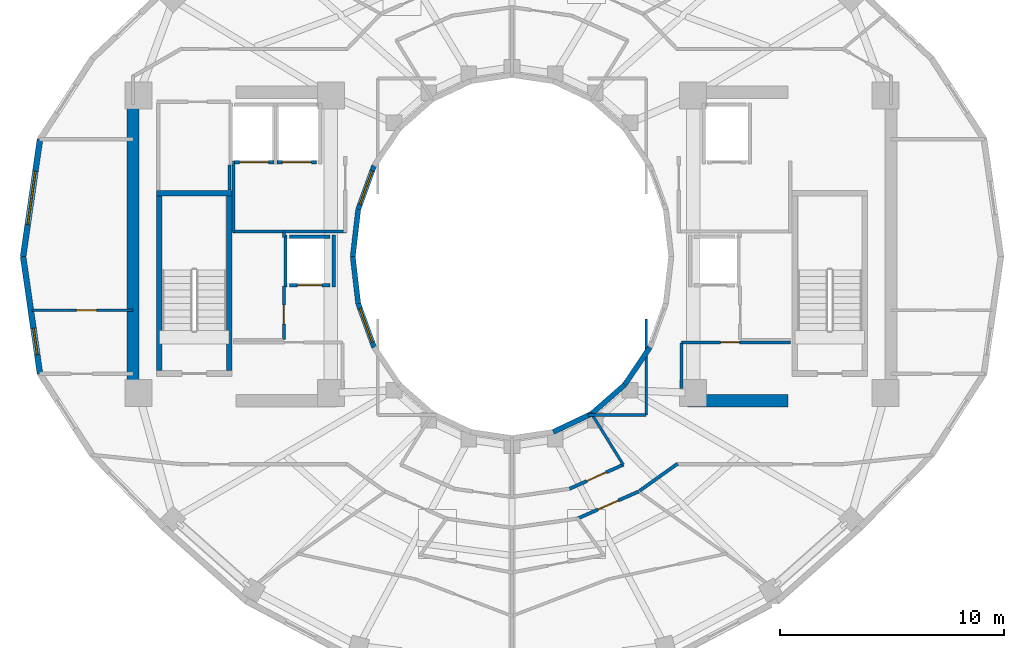
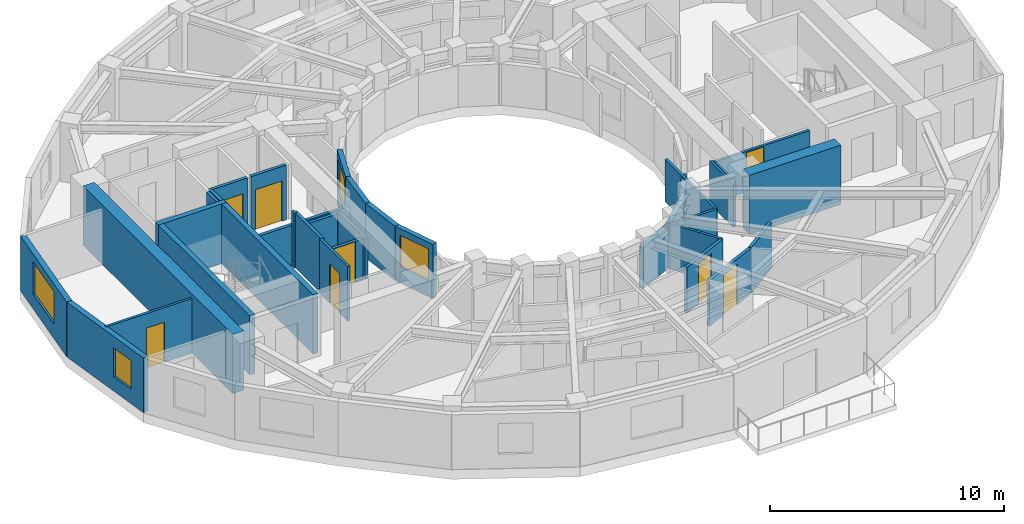
# One storey, part 4 of 9: 34 walls, 8 doors, 4 windows, 12 openings.
"""IFC4 building model written with IfcOpenShell, lengths in metres."""

import ifcopenshell
import ifcopenshell.guid

model = None  # the IFC model being written
_history = None  # IfcOwnerHistory: only IFC2X3 demands one
_inside = {}  # id of a spatial element -> (the spatial element, [elements in it])
_under = {}  # id of a project, library or spatial element -> (it, [spatial elements below it])
_declared = {}  # id of a project -> (the project, [libraries it declares])
_typed = {}  # id of a type object -> (the type object, [elements of that type])
_made_of = {}  # id of a material, layer set ... -> (it, [elements and type objects made of it])


def new_model(schema):
    """Start an empty IFC model of exactly this schema.

    Asked for "IFC4X3", IfcOpenShell would pick the latest addendum, in which some entities
    have other attributes; the version numbers below select the first issue.
    IFC2X3 requires an IfcOwnerHistory on every rooted entity: one is made here for all.
    """
    global model, _history
    if schema == "IFC4X3":
        model = ifcopenshell.file(schema_version=(4, 3, 0, 0))
    else:
        model = ifcopenshell.file(schema=schema)
    _inside.clear()
    _under.clear()
    _declared.clear()
    _typed.clear()
    _made_of.clear()
    _history = None
    if model.schema == "IFC2X3":
        org = make("IfcOrganization", Name="unknown")
        user = make(
            "IfcPersonAndOrganization",
            ThePerson=make("IfcPerson", FamilyName="unknown"),
            TheOrganization=org,
        )
        app = make(
            "IfcApplication",
            ApplicationDeveloper=org,
            Version="unknown",
            ApplicationFullName="unknown",
            ApplicationIdentifier="unknown",
        )
        _history = make(
            "IfcOwnerHistory",
            OwningUser=user,
            OwningApplication=app,
            ChangeAction="ADDED",
            CreationDate=0,
        )
    return model


def make(cls, **values):
    """One entity of the class cls with the attributes given. An attribute that is None is left unset."""
    return model.create_entity(
        cls, **{name: value for name, value in values.items() if value is not None}
    )


def rooted(cls, **values):
    """An entity with a GlobalId (a new one), such as an element, a storey or a relation."""
    return make(cls, GlobalId=ifcopenshell.guid.new(), OwnerHistory=_history, **values)


def si_unit(unit_type, name, prefix=None):
    """IfcSIUnit, for example si_unit("LENGTHUNIT", "METRE", prefix="MILLI")."""
    return make("IfcSIUnit", UnitType=unit_type, Prefix=prefix, Name=name)


def assignment(units):
    """IfcUnitAssignment: the units of a project."""
    return None if units is None else make("IfcUnitAssignment", Units=units)


def point(xyz):
    """IfcCartesianPoint."""
    return None if xyz is None else make("IfcCartesianPoint", Coordinates=xyz)


def direction(xyz):
    """IfcDirection."""
    return None if xyz is None else make("IfcDirection", DirectionRatios=xyz)


def frame(location, z_axis=None, x_axis=None):
    """IfcAxis2Placement3D, a coordinate frame: its origin and axes. An axis left out is left unset."""
    return make(
        "IfcAxis2Placement3D",
        Location=point(location),
        Axis=direction(z_axis),
        RefDirection=direction(x_axis),
    )


def frame_2d(location, x_axis=None):
    """IfcAxis2Placement2D, a coordinate frame in the plane: its origin and x axis."""
    return make(
        "IfcAxis2Placement2D", Location=point(location), RefDirection=direction(x_axis)
    )


def origin():
    """The frame at (0, 0, 0) with its axes left unset."""
    return frame((0.0, 0.0, 0.0))


def place(relative_to, where):
    """IfcLocalPlacement: puts the frame where relative to a parent placement (None: the world)."""
    return make(
        "IfcLocalPlacement", PlacementRelTo=relative_to, RelativePlacement=where
    )


def context(
    kind, dimensions, precision=None, world=None, true_north=None, identifier=None
):
    """IfcGeometricRepresentationContext, for example the 3D "Model" context."""
    return make(
        "IfcGeometricRepresentationContext",
        ContextIdentifier=identifier,
        ContextType=kind,
        CoordinateSpaceDimension=dimensions,
        Precision=precision,
        WorldCoordinateSystem=world,
        TrueNorth=true_north,
    )


def subcontext(parent, identifier, kind, view, scale=None):
    """IfcGeometricRepresentationSubContext, for example "Body" below "Model"."""
    return make(
        "IfcGeometricRepresentationSubContext",
        ContextIdentifier=identifier,
        ContextType=kind,
        ParentContext=parent,
        TargetScale=scale,
        TargetView=view,
    )


def project(units=None, contexts=None):
    """IfcProject with its units and contexts."""
    return rooted(
        "IfcProject",
        Name="project",
        RepresentationContexts=contexts,
        UnitsInContext=assignment(units),
    )


def spatial(cls, under=None, at=None, **own):
    """A site, building, storey or space (cls), placed at a placement, below another one or the project."""
    s = rooted(cls, ObjectPlacement=at, **own)
    if under is not None:
        _under.setdefault(under.id(), (under, []))[1].append(s)
    return s


def profile(cls, at=None, kind="AREA", **sizes):
    """A parametric profile (cls). Its sizes go by their IFC names, for example OverallWidth=200.0."""
    return make(cls, ProfileType=kind, Position=at, **sizes)


def rectangle(**sizes):
    """IfcRectangleProfileDef."""
    return profile("IfcRectangleProfileDef", **sizes)


def extrude(swept, where, along, depth):
    """IfcExtrudedAreaSolid: the profile swept, set in the frame where, extruded along a direction by depth."""
    return make(
        "IfcExtrudedAreaSolid",
        SweptArea=swept,
        Position=where,
        ExtrudedDirection=direction(along),
        Depth=depth,
    )


def shape(context_of_items, identifier, shape_type, items):
    """IfcShapeRepresentation: the items that make up one representation, for example the "Body"."""
    return make(
        "IfcShapeRepresentation",
        ContextOfItems=context_of_items,
        RepresentationIdentifier=identifier,
        RepresentationType=shape_type,
        Items=items,
    )


def material(Name=None, Category=None):
    """IfcMaterial."""
    return make("IfcMaterial", Name=Name, Category=Category)


def layer(
    of_material, thickness, ventilated=None, Name=None, Category=None, Priority=None
):
    """IfcMaterialLayer: one layer of a wall or slab, of a material (None: an air gap)."""
    return make(
        "IfcMaterialLayer",
        Material=of_material,
        LayerThickness=thickness,
        IsVentilated=ventilated,
        Name=Name,
        Category=Category,
        Priority=Priority,
    )


def layer_set(layers, Name=None):
    """IfcMaterialLayerSet."""
    return make("IfcMaterialLayerSet", MaterialLayers=layers, LayerSetName=Name)


def made_of(thing, what):
    """Note that an element or type object is made of a material, layer set ...; save() writes the relation."""
    if what is not None:
        _made_of.setdefault(what.id(), (what, []))[1].append(thing)
    return thing


def type_object(cls, material=None, **own):
    """A type object (cls), such as IfcWallType, which elements share."""
    return made_of(rooted(cls, **own), material)


def element(
    cls,
    number,
    at=None,
    inside=None,
    cuts=None,
    type_object=None,
    material=None,
    context=None,
    identifier="Body",
    shape_type=None,
    held_by="IfcProductDefinitionShape",
    body=None,
    shapes=None,
    **own,
):
    """One element of the class cls, such as IfcWall. Its Tag is "e" and its number.

    at: its placement. inside: the storey or other place that contains it. cuts: it is an
    opening in that element (IfcRelVoidsElement). A single representation is given by context,
    identifier, shape_type and body (its items); several are given by shapes. held_by: the class
    of the entity that holds the representations. save() writes the other relations.
    """
    e = rooted(cls, Tag="e%d" % number, ObjectPlacement=at, **own)
    if body is not None:
        shapes = [shape(context, identifier, shape_type, body)]
    if shapes is not None:
        e.Representation = make(held_by, Representations=shapes)
    if inside is not None:
        _inside.setdefault(inside.id(), (inside, []))[1].append(e)
    if cuts is not None:
        rooted(
            "IfcRelVoidsElement", RelatingBuildingElement=cuts, RelatedOpeningElement=e
        )
    if type_object is not None:
        _typed.setdefault(type_object.id(), (type_object, []))[1].append(e)
    return made_of(e, material)


def fill(opening, filler):
    """IfcRelFillsElement: the door or window that sits in an opening."""
    return rooted(
        "IfcRelFillsElement",
        RelatingOpeningElement=opening,
        RelatedBuildingElement=filler,
    )


def aggregate(whole, parts):
    """IfcRelAggregates: a whole, such as a stair, and the parts it consists of."""
    return rooted("IfcRelAggregates", RelatingObject=whole, RelatedObjects=parts)


def save(model, path):
    """Write the relations noted so far, then the file.

    IfcRelAggregates (storeys below a building ...), IfcRelContainedInSpatialStructure (elements
    in a storey), IfcRelDefinesByType, IfcRelAssociatesMaterial and IfcRelDeclares: one each for
    every whole, place, type object, material and project.
    """
    for whole, parts in _under.values():
        aggregate(whole, parts)
    for where, things in _inside.values():
        rooted(
            "IfcRelContainedInSpatialStructure",
            RelatedElements=things,
            RelatingStructure=where,
        )
    for kind, things in _typed.values():
        rooted("IfcRelDefinesByType", RelatedObjects=things, RelatingType=kind)
    for what, things in _made_of.values():
        rooted("IfcRelAssociatesMaterial", RelatedObjects=things, RelatingMaterial=what)
    for by, libraries in _declared.values():
        rooted("IfcRelDeclares", RelatingContext=by, RelatedDefinitions=libraries)
    model.write(path)


model = new_model("IFC4")

# Units and contexts
model_context = context("Model", 3, precision=1e-05, world=origin(), true_north=direction((0.0, 1.0)))
body_context = subcontext(model_context, "Body", "Model", "MODEL_VIEW")
ifc_project = project(units=[si_unit("LENGTHUNIT", "METRE"), si_unit("AREAUNIT", "SQUARE_METRE"), si_unit("VOLUMEUNIT", "CUBIC_METRE"), si_unit("PLANEANGLEUNIT", "RADIAN"), si_unit("MASSUNIT", "GRAM", prefix="KILO")], contexts=[model_context])

# Site, building, storey
site_placement = place(None, origin())
site = spatial("IfcSite", under=ifc_project, at=site_placement, CompositionType="ELEMENT")
building_placement = place(site_placement, origin())
building = spatial("IfcBuilding", under=site, at=building_placement, Name="Solvane Sanctuary Tower", CompositionType="ELEMENT")
storey_placement = place(building_placement, frame((0.0, 0.0, 220.199951171875)))
storey = spatial("IfcBuildingStorey", under=building, at=storey_placement, Name="L67", CompositionType="ELEMENT", Elevation=220.199951171875)

# Walls
ifc_material_1 = material(Name="Concrete C50/60", Category="concrete")
ifc_layer_1 = layer(ifc_material_1, 0.550048828125, Name="Concrete C50/60")
ifc_layer_set_1 = layer_set([ifc_layer_1], Name="Concrete C50/60")
wall_type_1 = type_object("IfcWallType", Name="Wall W-CORE-550", PredefinedType="SHEAR", material=ifc_layer_set_1)
wall_1_placement = place(storey_placement, frame((15.050048828125, 17.050048828125, 0.0), z_axis=(0.0, 0.0, 1.0), x_axis=(0.0, 1.0, 0.0)))
element("IfcWall", 1, at=wall_1_placement, inside=storey, type_object=wall_type_1, Name="L67 Core Shear Wall WC-W", PredefinedType="SHEAR", context=body_context, shape_type="SweptSolid", body=[
    extrude(rectangle(XDim=12.800048828125, YDim=0.550048828125, at=frame_2d((6.39990234375, 0.0))), origin(), (0.0, 0.0, 1.0), 3.10009765625),
])
wall_2_placement = place(storey_placement, frame((39.85009765625, 16.550048828125, 0.0), z_axis=(0.0, 0.0, 1.0), x_axis=(1.0, 0.0, 0.0)))
element("IfcWall", 2, at=wall_2_placement, inside=storey, type_object=wall_type_1, Name="L67 Core Shear Wall EC-S", PredefinedType="SHEAR", context=body_context, shape_type="SweptSolid", body=[
    extrude(rectangle(XDim=4.5, YDim=0.550048828125, at=frame_2d((2.25, 0.0))), origin(), (0.0, 0.0, 1.0), 3.10009765625),
])
ifc_material_2 = material(Name="Acoustic Gypsum Partition Board")
ifc_layer_2 = layer(ifc_material_2, 0.14990234375, Name="Acoustic Gypsum Partition Board")
ifc_layer_set_2 = layer_set([ifc_layer_2], Name="Acoustic Gypsum Partition Board")
wall_type_2 = type_object("IfcWallType", Name="Wall W-CORR-150", PredefinedType="PARTITIONING", material=ifc_layer_set_2)
wall_3_placement = place(storey_placement, frame((19.52001953125, 24.1201171875, 0.0), z_axis=(0.0, 0.0, 1.0), x_axis=(1.0, 0.0, 0.0)))
element("IfcWall", 3, at=wall_3_placement, inside=storey, type_object=wall_type_2, Name="L67 West Firefighting Lobby South Wall", PredefinedType="PARTITIONING", context=body_context, shape_type="SweptSolid", body=[
    extrude(rectangle(XDim=5.080078125, YDim=0.14990234375, at=frame_2d((2.5400390625, 0.0))), origin(), (0.0, 0.0, 1.0), 2.1201171875),
])
wall_4_placement = place(storey_placement, frame((19.550048828125, 24.080078125, 0.0), z_axis=(0.0, 0.0, 1.0), x_axis=(0.0, 1.0, 0.0)))
element("IfcWall", 4, at=wall_4_placement, inside=storey, type_object=wall_type_2, Name="L67 West Firefighting Lobby West Wall", PredefinedType="PARTITIONING", context=body_context, shape_type="SweptSolid", body=[
    extrude(rectangle(XDim=3.199951171875, YDim=0.14990234375, at=frame_2d((1.60009765625, 0.0))), origin(), (0.0, 0.0, 1.0), 2.85498046875),
])

# Wall, opening, door
wall_5_placement = place(storey_placement, frame((34.573486328125, 12.61572265625, 0.0), z_axis=(0.0, 0.0, 1.0), x_axis=(0.912628408652, 0.408790151203, 0.0)))
wall_5 = element("IfcWall", 5, at=wall_5_placement, inside=storey, type_object=wall_type_2, Name="L67 South Light-Well Corridor Wall 2", PredefinedType="PARTITIONING", context=body_context, shape_type="SweptSolid", body=[
    extrude(rectangle(XDim=2.637939453125, YDim=0.14990234375, at=frame_2d((1.31884765625, 0.0))), origin(), (0.0, 0.0, 1.0), 2.3759765625),
])
opening_1_placement = place(wall_5_placement, frame((0.843994140625, 0.0, 0.0)))
opening_1 = element("IfcOpeningElement", 6, at=opening_1_placement, cuts=wall_5, Name="Opening D-L67-14", PredefinedType="OPENING", context=body_context, shape_type="SweptSolid", body=[
    extrude(rectangle(XDim=0.949951171875, YDim=2.10009765625, at=frame_2d((0.47509765625, 1.050048828125))), frame((0.0, 0.0849609375, 0.0), z_axis=(0.0, -1.0, 0.0), x_axis=(1.0, 0.0, 0.0)), (0.0, 0.0, 1.0), 0.169921875),
])
ifc_material_3 = material(Name="Engineered Tropical Hardwood", Category="wood")
door_type_1 = type_object("IfcDoorType", Name="Door D-ROOM-950", OperationType="NOTDEFINED", PredefinedType="DOOR", material=ifc_material_3)
door_1_placement = place(opening_1_placement, origin())
door_1 = element("IfcDoor", 7, at=door_1_placement, inside=storey, type_object=door_type_1, Name="L67 South Light-Well Alcove Door 2", OperationType="SINGLE_SWING_LEFT", OverallHeight=2.10009765625, OverallWidth=0.949951171875, PredefinedType="DOOR", context=body_context, shape_type="SweptSolid", body=[
    extrude(rectangle(XDim=0.949951171875, YDim=2.10009765625, at=frame_2d((0.47509765625, 1.050048828125))), frame((0.0, 0.02490234375, 0.0), z_axis=(0.0, -1.0, 0.0), x_axis=(1.0, 0.0, 0.0)), (0.0, 0.0, 1.0), 0.050048828125),
])
fill(opening_1, door_1)

# Wall
wall_6_placement = place(storey_placement, frame((37.709716796875, 12.527099609375, 0.0), z_axis=(0.0, 0.0, 1.0), x_axis=(0.813780999276, 0.581171648669, 0.0)))
element("IfcWall", 8, at=wall_6_placement, inside=storey, type_object=wall_type_2, Name="L67 SE Corner Throat Wall", PredefinedType="PARTITIONING", context=body_context, shape_type="SweptSolid", body=[
    extrude(rectangle(XDim=2.082275390625, YDim=0.14990234375, at=frame_2d((1.041015625, 0.0))), origin(), (0.0, 0.0, 1.0), 2.3759765625),
])

# Wall, opening, door
wall_7_placement = place(storey_placement, frame((34.9248046875, 11.281005859375, 0.0), z_axis=(0.0, 0.0, 1.0), x_axis=(0.914139569865, 0.405399613724, 0.0)))
wall_7 = element("IfcWall", 9, at=wall_7_placement, inside=storey, type_object=wall_type_2, Name="L67 Unit Corridor Wall S2", PredefinedType="PARTITIONING", context=body_context, shape_type="SweptSolid", body=[
    extrude(rectangle(XDim=3.005126953125, YDim=0.14990234375, at=frame_2d((1.50244140625, 0.0))), origin(), (0.0, 0.0, 1.0), 2.3759765625),
])
opening_2_placement = place(wall_7_placement, frame((1.00244140625, 0.0, 0.0)))
opening_2 = element("IfcOpeningElement", 10, at=opening_2_placement, cuts=wall_7, Name="Opening D-L67-34", PredefinedType="OPENING", context=body_context, shape_type="SweptSolid", body=[
    extrude(rectangle(XDim=1.0, YDim=2.10009765625, at=frame_2d((0.5, 1.050048828125))), frame((0.0, 0.0849609375, 0.0), z_axis=(0.0, -1.0, 0.0), x_axis=(1.0, 0.0, 0.0)), (0.0, 0.0, 1.0), 0.169921875),
])
door_type_2 = type_object("IfcDoorType", Name="Door D-UNIT", OperationType="NOTDEFINED", PredefinedType="DOOR", material=ifc_material_3)
door_2_placement = place(opening_2_placement, origin())
door_2 = element("IfcDoor", 11, at=door_2_placement, inside=storey, type_object=door_type_2, Name="L67 Unit Entrance Door S2", OperationType="SINGLE_SWING_LEFT", OverallHeight=2.10009765625, OverallWidth=1.0, PredefinedType="DOOR", context=body_context, shape_type="SweptSolid", body=[
    extrude(rectangle(XDim=1.0, YDim=2.10009765625, at=frame_2d((0.5, 1.050048828125))), frame((0.0, 0.02490234375, 0.0), z_axis=(0.0, -1.0, 0.0), x_axis=(1.0, 0.0, 0.0)), (0.0, 0.0, 1.0), 0.050048828125),
])
fill(opening_2, door_2)

# Wall, opening, window
ifc_material_4 = material(Name="Precast concrete C40/50", Category="concrete")
ifc_layer_3 = layer(ifc_material_4, 0.260009765625, Name="Precast concrete C40/50")
ifc_layer_set_3 = layer_set([ifc_layer_3], Name="Precast concrete C40/50")
wall_type_3 = type_object("IfcWallType", Name="Wall W-EXT-250", PredefinedType="STANDARD", material=ifc_layer_set_3)
wall_8_placement = place(storey_placement, frame((10.895263671875, 28.23876953125, 0.0), z_axis=(0.0, 0.0, 1.0), x_axis=(-0.142712754019, -0.989764148593, 0.0)))
wall_8 = element("IfcWall", 12, at=wall_8_placement, inside=storey, type_object=wall_type_3, Name="L67 Ceramic-Printed Facade Wall 11", PredefinedType="STANDARD", context=body_context, shape_type="SweptSolid", body=[
    extrude(rectangle(XDim=5.29296875, YDim=0.260009765625, at=frame_2d((2.646484375, 0.0))), origin(), (0.0, 0.0, 1.0), 2.85009765625),
])
opening_3_placement = place(wall_8_placement, frame((1.446533203125, 0.0, 0.75)))
opening_3 = element("IfcOpeningElement", 13, at=opening_3_placement, cuts=wall_8, Name="Opening WN-RIB-2400", PredefinedType="OPENING", context=body_context, shape_type="SweptSolid", body=[
    extrude(rectangle(XDim=2.39990234375, YDim=1.699951171875, at=frame_2d((1.199951171875, 0.85009765625))), frame((0.0, 0.139892578125, 0.0), z_axis=(0.0, -1.0, 0.0), x_axis=(1.0, 0.0, 0.0)), (0.0, 0.0, 1.0), 0.280029296875),
])
ifc_material_5 = material(Name="Dark Ceramic-Fritted Low-E Glass", Category="glass")
window_type_1 = type_object("IfcWindowType", Name="Window WN-RIB-2400", PartitioningType="SINGLE_PANEL", PredefinedType="WINDOW", material=ifc_material_5)
window_1_placement = place(opening_3_placement, origin())
window_1 = element("IfcWindow", 14, at=window_1_placement, inside=storey, type_object=window_type_1, Name="L67 Operable Facade Window 11", OverallHeight=1.699951171875, OverallWidth=2.39990234375, PartitioningType="SINGLE_PANEL", PredefinedType="WINDOW", context=body_context, shape_type="SweptSolid", body=[
    extrude(rectangle(XDim=2.39990234375, YDim=1.699951171875, at=frame_2d((1.199951171875, 0.85009765625))), frame((0.0, 0.030029296875, 0.0), z_axis=(0.0, -1.0, 0.0), x_axis=(1.0, 0.0, 0.0)), (0.0, 0.0, 1.0), 0.06005859375),
])
fill(opening_3, window_1)

wall_9_placement = place(storey_placement, frame((10.139892578125, 23.0, 0.0), z_axis=(0.0, 0.0, 1.0), x_axis=(0.142712754019, -0.989764148593, 0.0)))
wall_9 = element("IfcWall", 15, at=wall_9_placement, inside=storey, type_object=wall_type_3, Name="L67 Ceramic-Printed Facade Wall 12", PredefinedType="STANDARD", context=body_context, shape_type="SweptSolid", body=[
    extrude(rectangle(XDim=5.29296875, YDim=0.260009765625, at=frame_2d((2.646484375, 0.0))), origin(), (0.0, 0.0, 1.0), 2.85009765625),
])
opening_4_placement = place(wall_9_placement, frame((3.23388671875, 0.0, 0.75)))
opening_4 = element("IfcOpeningElement", 16, at=opening_4_placement, cuts=wall_9, Name="Opening WN-OPER-1200", PredefinedType="OPENING", context=body_context, shape_type="SweptSolid", body=[
    extrude(rectangle(XDim=1.199951171875, YDim=1.5, at=frame_2d((0.60009765625, 0.75))), frame((0.0, 0.139892578125, 0.0), z_axis=(0.0, -1.0, 0.0), x_axis=(1.0, 0.0, 0.0)), (0.0, 0.0, 1.0), 0.280029296875),
])
window_type_2 = type_object("IfcWindowType", Name="Window WN-OPER-1200", PartitioningType="SINGLE_PANEL", PredefinedType="WINDOW", material=ifc_material_5)
window_2_placement = place(opening_4_placement, origin())
window_2 = element("IfcWindow", 17, at=window_2_placement, inside=storey, type_object=window_type_2, Name="L67 Operable Facade Window 12", OverallHeight=1.5, OverallWidth=1.199951171875, PartitioningType="SINGLE_PANEL", PredefinedType="WINDOW", context=body_context, shape_type="SweptSolid", body=[
    extrude(rectangle(XDim=1.199951171875, YDim=1.5, at=frame_2d((0.60009765625, 0.75))), frame((0.0, 0.030029296875, 0.0), z_axis=(0.0, -1.0, 0.0), x_axis=(1.0, 0.0, 0.0)), (0.0, 0.0, 1.0), 0.06005859375),
])
fill(opening_4, window_2)

ifc_layer_4 = layer(ifc_material_4, 0.22998046875, Name="Precast concrete C40/50")
ifc_layer_set_4 = layer_set([ifc_layer_4], Name="Precast concrete C40/50")
wall_type_4 = type_object("IfcWallType", Name="Wall W-EXT-SP220", PredefinedType="STANDARD", material=ifc_layer_set_4)
wall_10_placement = place(storey_placement, frame((25.833984375, 27.06005859375, 0.0), z_axis=(0.0, 0.0, 1.0), x_axis=(-0.341423187295, -0.93990968033, 0.0)))
wall_10 = element("IfcWall", 18, at=wall_10_placement, inside=storey, type_object=wall_type_4, Name="L67 Central Light-Well Wall 10", PredefinedType="STANDARD", context=body_context, shape_type="SweptSolid", body=[
    extrude(rectangle(XDim=2.083740234375, YDim=0.22998046875, at=frame_2d((1.0419921875, 0.0))), origin(), (0.0, 0.0, 1.0), 2.840087890625),
])
opening_5_placement = place(wall_10_placement, frame((0.24169921875, 0.0, 0.85009765625)))
opening_5 = element("IfcOpeningElement", 19, at=opening_5_placement, cuts=wall_10, Name="Opening WN-WELL-1600", PredefinedType="OPENING", context=body_context, shape_type="SweptSolid", body=[
    extrude(rectangle(XDim=1.60009765625, YDim=1.64990234375, at=frame_2d((0.800048828125, 0.824951171875))), frame((0.0, 0.125, 0.0), z_axis=(0.0, -1.0, 0.0), x_axis=(1.0, 0.0, 0.0)), (0.0, 0.0, 1.0), 0.25),
])
ifc_material_6 = material(Name="Clear Laminated Light-Well Glass", Category="glass")
window_type_3 = type_object("IfcWindowType", Name="Window WN-WELL-1600", PartitioningType="SINGLE_PANEL", PredefinedType="WINDOW", material=ifc_material_6)
window_3_placement = place(opening_5_placement, origin())
window_3 = element("IfcWindow", 20, at=window_3_placement, inside=storey, type_object=window_type_3, Name="L67 Light-Well Daylight Window 10", OverallHeight=1.64990234375, OverallWidth=1.60009765625, PartitioningType="SINGLE_PANEL", PredefinedType="WINDOW", context=body_context, shape_type="SweptSolid", body=[
    extrude(rectangle(XDim=1.60009765625, YDim=1.64990234375, at=frame_2d((0.800048828125, 0.824951171875))), frame((0.0, 0.030029296875, 0.0), z_axis=(0.0, -1.0, 0.0), x_axis=(1.0, 0.0, 0.0)), (0.0, 0.0, 1.0), 0.06005859375),
])
fill(opening_5, window_3)

# Walls
for number, where, z_axis, x_axis, name in (
    (21, (25.12255859375, 25.1015625, 0.0), (0.0, 0.0, 1.0), (-0.114711713601, -0.993398823617, 0.0), "L67 Central Light-Well Wall 11"),
    (22, (24.8798828125, 23.0, 0.0), (0.0, 0.0, 1.0), (0.114711713601, -0.993398823617, 0.0), "L67 Central Light-Well Wall 12"),
):
    element("IfcWall", number, at=place(storey_placement, frame(where, z_axis=z_axis, x_axis=x_axis)), inside=storey, type_object=wall_type_4, Name=name, PredefinedType="STANDARD", context=body_context, shape_type="SweptSolid", body=[
        extrude(rectangle(XDim=2.115478515625, YDim=0.22998046875, at=frame_2d((1.0576171875, 0.0))), origin(), (0.0, 0.0, 1.0), 2.840087890625),
    ])

# Wall, opening, window
wall_11_placement = place(storey_placement, frame((25.12255859375, 20.8984375, 0.0), z_axis=(0.0, 0.0, 1.0), x_axis=(0.341423187295, -0.93990968033, 0.0)))
wall_11 = element("IfcWall", 23, at=wall_11_placement, inside=storey, type_object=wall_type_4, Name="L67 Central Light-Well Wall 13", PredefinedType="STANDARD", context=body_context, shape_type="SweptSolid", body=[
    extrude(rectangle(XDim=2.083740234375, YDim=0.22998046875, at=frame_2d((1.0419921875, 0.0))), origin(), (0.0, 0.0, 1.0), 2.840087890625),
])
opening_6_placement = place(wall_11_placement, frame((0.24169921875, 0.0, 0.85009765625)))
opening_6 = element("IfcOpeningElement", 24, at=opening_6_placement, cuts=wall_11, Name="Opening WN-WELL-1600", PredefinedType="OPENING", context=body_context, shape_type="SweptSolid", body=[
    extrude(rectangle(XDim=1.60009765625, YDim=1.64990234375, at=frame_2d((0.800048828125, 0.824951171875))), frame((0.0, 0.125, 0.0), z_axis=(0.0, -1.0, 0.0), x_axis=(1.0, 0.0, 0.0)), (0.0, 0.0, 1.0), 0.25),
])
window_4_placement = place(opening_6_placement, origin())
window_4 = element("IfcWindow", 25, at=window_4_placement, inside=storey, type_object=window_type_3, Name="L67 Light-Well Daylight Window 13", OverallHeight=1.64990234375, OverallWidth=1.60009765625, PartitioningType="SINGLE_PANEL", PredefinedType="WINDOW", context=body_context, shape_type="SweptSolid", body=[
    extrude(rectangle(XDim=1.60009765625, YDim=1.64990234375, at=frame_2d((0.800048828125, 0.824951171875))), frame((0.0, 0.030029296875, 0.0), z_axis=(0.0, -1.0, 0.0), x_axis=(1.0, 0.0, 0.0)), (0.0, 0.0, 1.0), 0.06005859375),
])
fill(opening_6, window_4)

# Walls
wall_12_placement = place(storey_placement, frame((33.8427734375, 15.15673828125, 0.0), z_axis=(0.0, 0.0, 1.0), x_axis=(0.904179699603, 0.427152280606, 0.0)))
element("IfcWall", 26, at=wall_12_placement, inside=storey, type_object=wall_type_4, Name="L67 Central Light-Well Wall 19", PredefinedType="STANDARD", context=body_context, shape_type="SweptSolid", body=[
    extrude(rectangle(XDim=1.899169921875, YDim=0.22998046875, at=frame_2d((0.94970703125, 0.0))), origin(), (0.0, 0.0, 1.0), 2.16015625),
])
wall_13_placement = place(storey_placement, frame((35.56005859375, 15.968017578125, 0.0), z_axis=(0.0, 0.0, 1.0), x_axis=(0.752576694707, 0.658504607869, 0.0)))
element("IfcWall", 27, at=wall_13_placement, inside=storey, type_object=wall_type_4, Name="L67 Central Light-Well Wall 20", PredefinedType="STANDARD", context=body_context, shape_type="SweptSolid", body=[
    extrude(rectangle(XDim=1.95947265625, YDim=0.22998046875, at=frame_2d((0.979736328125, 0.0))), origin(), (0.0, 0.0, 1.0), 2.16015625),
])
wall_14_placement = place(storey_placement, frame((37.03466796875, 17.25830078125, 0.0), z_axis=(0.0, 0.0, 1.0), x_axis=(0.558197800898, 0.829707909492, 0.0)))
element("IfcWall", 28, at=wall_14_placement, inside=storey, type_object=wall_type_4, Name="L67 Central Light-Well Wall 21", PredefinedType="STANDARD", context=body_context, shape_type="SweptSolid", body=[
    extrude(rectangle(XDim=2.02685546875, YDim=0.22998046875, at=frame_2d((1.013427734375, 0.0))), origin(), (0.0, 0.0, 1.0), 2.16015625),
])

# Wall, opening, door
ifc_layer_5 = layer(ifc_material_2, 0.1201171875, Name="Acoustic Gypsum Partition Board")
ifc_layer_set_5 = layer_set([ifc_layer_5], Name="Acoustic Gypsum Partition Board")
wall_type_5 = type_object("IfcWallType", Name="Wall W-MOV-100", PredefinedType="MOVABLE", material=ifc_layer_set_5)
wall_15_placement = place(storey_placement, frame((10.525634765625, 20.60009765625, 0.0), z_axis=(0.0, 0.0, 1.0), x_axis=(1.0, 0.0, 0.0)))
wall_15 = element("IfcWall", 29, at=wall_15_placement, inside=storey, type_object=wall_type_5, Name="L67 West Suite Partition", PredefinedType="MOVABLE", context=body_context, shape_type="SweptSolid", body=[
    extrude(rectangle(XDim=4.5244140625, YDim=0.1201171875, at=frame_2d((2.26220703125, 0.0))), origin(), (0.0, 0.0, 1.0), 2.85498046875),
])
opening_7_placement = place(wall_15_placement, frame((2.0, 0.0, 0.0)))
opening_7 = element("IfcOpeningElement", 30, at=opening_7_placement, cuts=wall_15, Name="Opening D-L67-18", PredefinedType="OPENING", context=body_context, shape_type="SweptSolid", body=[
    extrude(rectangle(XDim=0.89990234375, YDim=2.10009765625, at=frame_2d((0.449951171875, 1.050048828125))), frame((0.0, 0.070068359375, 0.0), z_axis=(0.0, -1.0, 0.0), x_axis=(1.0, 0.0, 0.0)), (0.0, 0.0, 1.0), 0.14013671875),
])
door_type_3 = type_object("IfcDoorType", Name="Door D-WET-900", OperationType="NOTDEFINED", PredefinedType="DOOR", material=ifc_material_3)
door_3_placement = place(opening_7_placement, origin())
door_3 = element("IfcDoor", 31, at=door_3_placement, inside=storey, type_object=door_type_3, Name="L67 West Suite Internal Door", OperationType="SINGLE_SWING_LEFT", OverallHeight=2.10009765625, OverallWidth=0.89990234375, PredefinedType="DOOR", context=body_context, shape_type="SweptSolid", body=[
    extrude(rectangle(XDim=0.89990234375, YDim=2.10009765625, at=frame_2d((0.449951171875, 1.050048828125))), frame((0.0, 0.02490234375, 0.0), z_axis=(0.0, -1.0, 0.0), x_axis=(1.0, 0.0, 0.0)), (0.0, 0.0, 1.0), 0.050048828125),
])
fill(opening_7, door_3)

ifc_layer_6 = layer(ifc_material_2, 0.125, Name="Acoustic Gypsum Partition Board")
ifc_layer_set_6 = layer_set([ifc_layer_6], Name="Acoustic Gypsum Partition Board")
wall_type_6 = type_object("IfcWallType", Name="Wall W-PART-125", PredefinedType="PARTITIONING", material=ifc_layer_set_6)
wall_16_placement = place(storey_placement, frame((39.580078125, 19.159912109375, 0.0), z_axis=(0.0, 0.0, 1.0), x_axis=(1.0, 0.0, 0.0)))
wall_16 = element("IfcWall", 32, at=wall_16_placement, inside=storey, type_object=wall_type_6, Name="L67 Reclaimed Room Partition PLE", PredefinedType="PARTITIONING", context=body_context, shape_type="SweptSolid", body=[
    extrude(rectangle(XDim=4.869873046875, YDim=0.125, at=frame_2d((2.43505859375, 0.0))), origin(), (0.0, 0.0, 1.0), 2.1201171875),
])
opening_8_placement = place(wall_16_placement, frame((1.748291015625, 0.0, 0.0)))
opening_8 = element("IfcOpeningElement", 33, at=opening_8_placement, cuts=wall_16, Name="Opening D-L67-07", PredefinedType="OPENING", context=body_context, shape_type="SweptSolid", body=[
    extrude(rectangle(XDim=0.85009765625, YDim=2.050048828125, at=frame_2d((0.425048828125, 1.02490234375))), frame((0.0, 0.072509765625, 0.0), z_axis=(0.0, -1.0, 0.0), x_axis=(1.0, 0.0, 0.0)), (0.0, 0.0, 1.0), 0.14501953125),
])
ifc_material_7 = material(Name="Architectural Stainless Steel 316", Category="steel")
door_type_4 = type_object("IfcDoorType", Name="Door D-RISER", OperationType="NOTDEFINED", PredefinedType="DOOR", material=ifc_material_7)
door_4_placement = place(opening_8_placement, origin())
door_4 = element("IfcDoor", 34, at=door_4_placement, inside=storey, type_object=door_type_4, Name="L67 Reclaimed Room Door PLE-1", OperationType="SINGLE_SWING_RIGHT", OverallHeight=2.050048828125, OverallWidth=0.85009765625, PredefinedType="DOOR", context=body_context, shape_type="SweptSolid", body=[
    extrude(rectangle(XDim=0.85009765625, YDim=2.050048828125, at=frame_2d((0.425048828125, 1.02490234375))), frame((0.0, 0.02490234375, 0.0), z_axis=(0.0, -1.0, 0.0), x_axis=(1.0, 0.0, 0.0)), (0.0, 0.0, 1.0), 0.050048828125),
])
fill(opening_8, door_4)

# Wall
wall_17_placement = place(storey_placement, frame((39.580078125, 17.10009765625, 0.0), z_axis=(0.0, 0.0, 1.0), x_axis=(0.0, 1.0, 0.0)))
element("IfcWall", 35, at=wall_17_placement, inside=storey, type_object=wall_type_6, Name="L67 Reclaimed Room Closer Wall PLE-1", PredefinedType="PARTITIONING", context=body_context, shape_type="SweptSolid", body=[
    extrude(rectangle(XDim=2.039794921875, YDim=0.125, at=frame_2d((1.02001953125, 0.0))), origin(), (0.0, 0.0, 1.0), 2.23193359375),
])

# Wall, opening, door
wall_18_placement = place(storey_placement, frame((21.800048828125, 19.280029296875, 0.0), z_axis=(0.0, 0.0, 1.0), x_axis=(0.0, 1.0, 0.0)))
wall_18 = element("IfcWall", 36, at=wall_18_placement, inside=storey, type_object=wall_type_6, Name="L67 Reclaimed Room Partition PMW", PredefinedType="PARTITIONING", context=body_context, shape_type="SweptSolid", body=[
    extrude(rectangle(XDim=2.39990234375, YDim=0.125, at=frame_2d((1.199951171875, 0.0))), origin(), (0.0, 0.0, 1.0), 2.85498046875),
])
opening_9_placement = place(wall_18_placement, frame((0.699951171875, 0.0, 0.0)))
opening_9 = element("IfcOpeningElement", 37, at=opening_9_placement, cuts=wall_18, Name="Opening D-L67-08", PredefinedType="OPENING", context=body_context, shape_type="SweptSolid", body=[
    extrude(rectangle(XDim=0.85009765625, YDim=2.050048828125, at=frame_2d((0.425048828125, 1.02490234375))), frame((0.0, 0.072509765625, 0.0), z_axis=(0.0, -1.0, 0.0), x_axis=(1.0, 0.0, 0.0)), (0.0, 0.0, 1.0), 0.14501953125),
])
door_5_placement = place(opening_9_placement, origin())
door_5 = element("IfcDoor", 38, at=door_5_placement, inside=storey, type_object=door_type_4, Name="L67 Reclaimed Room Door PMW-1", OperationType="SINGLE_SWING_LEFT", OverallHeight=2.050048828125, OverallWidth=0.85009765625, PredefinedType="DOOR", context=body_context, shape_type="SweptSolid", body=[
    extrude(rectangle(XDim=0.85009765625, YDim=2.050048828125, at=frame_2d((0.425048828125, 1.02490234375))), frame((0.0, 0.02490234375, 0.0), z_axis=(0.0, -1.0, 0.0), x_axis=(1.0, 0.0, 0.0)), (0.0, 0.0, 1.0), 0.050048828125),
])
fill(opening_9, door_5)

# Walls
wall_19_placement = place(storey_placement, frame((21.800048828125, 23.85009765625, 0.0), z_axis=(0.0, 0.0, 1.0), x_axis=(0.0, 1.0, 0.0)))
element("IfcWall", 39, at=wall_19_placement, inside=storey, type_object=wall_type_6, Name="L67 Reclaimed Room Dividing Wall PMW", PredefinedType="PARTITIONING", context=body_context, shape_type="SweptSolid", body=[
    extrude(rectangle(XDim=0.25, YDim=0.125, at=frame_2d((0.125, 0.0))), origin(), (0.0, 0.0, 1.0), 2.85498046875),
])
wall_20_placement = place(storey_placement, frame((35.550048828125, 15.985107421875, 0.0), z_axis=(0.0, 0.0, 1.0), x_axis=(0.527527080983, -0.849538215049, 0.0)))
element("IfcWall", 40, at=wall_20_placement, inside=storey, type_object=wall_type_6, Name="L67 South Light-Well Radial Wall 300", PredefinedType="PARTITIONING", context=body_context, shape_type="SweptSolid", body=[
    extrude(rectangle(XDim=2.701416015625, YDim=0.125, at=frame_2d((1.3505859375, 0.0))), origin(), (0.0, 0.0, 1.0), 2.3759765625),
])
wall_21_placement = place(storey_placement, frame((38.0, 15.919921875, 0.0), z_axis=(0.0, 0.0, 1.0), x_axis=(0.0, 1.0, 0.0)))
element("IfcWall", 41, at=wall_21_placement, inside=storey, type_object=wall_type_6, Name="L67 Bridge Alcove Wall 7", PredefinedType="PARTITIONING", context=body_context, shape_type="SweptSolid", body=[
    extrude(rectangle(XDim=4.280029296875, YDim=0.125, at=frame_2d((2.14013671875, 0.0))), origin(), (0.0, 0.0, 1.0), 2.23193359375),
])
wall_22_placement = place(storey_placement, frame((35.39990234375, 15.919921875, 0.0), z_axis=(0.0, 0.0, 1.0), x_axis=(1.0, 0.0, 0.0)))
element("IfcWall", 42, at=wall_22_placement, inside=storey, type_object=wall_type_6, Name="L67 Bridge Alcove Wall 8", PredefinedType="PARTITIONING", context=body_context, shape_type="SweptSolid", body=[
    extrude(rectangle(XDim=2.60009765625, YDim=0.125, at=frame_2d((1.300048828125, 0.0))), origin(), (0.0, 0.0, 1.0), 2.23193359375),
])

# Wall, opening, door
ifc_layer_7 = layer(ifc_material_1, 0.14990234375, Name="Concrete C50/60")
ifc_layer_set_7 = layer_set([ifc_layer_7], Name="Concrete C50/60")
wall_type_7 = type_object("IfcWallType", Name="Wall W-SHAFT-150", PredefinedType="SOLIDWALL", material=ifc_layer_set_7)
wall_23_placement = place(storey_placement, frame((22.0400390625, 21.719970703125, 0.0), z_axis=(0.0, 0.0, 1.0), x_axis=(1.0, 0.0, 0.0)))
wall_23 = element("IfcWall", 43, at=wall_23_placement, inside=storey, type_object=wall_type_7, Name="L67 PH-1 Lift Shaft Wall F", PredefinedType="SOLIDWALL", context=body_context, shape_type="SweptSolid", body=[
    extrude(rectangle(XDim=1.820068359375, YDim=0.14990234375, at=frame_2d((0.91015625, 0.0))), origin(), (0.0, 0.0, 1.0), 2.1201171875),
])
opening_10_placement = place(wall_23_placement, frame((0.360107421875, 0.0, 0.0)))
opening_10 = element("IfcOpeningElement", 44, at=opening_10_placement, cuts=wall_23, Name="Opening LD-L67-01", PredefinedType="OPENING", context=body_context, shape_type="SweptSolid", body=[
    extrude(rectangle(XDim=1.10009765625, YDim=2.10009765625, at=frame_2d((0.550048828125, 1.050048828125))), frame((0.0, 0.0849609375, 0.0), z_axis=(0.0, -1.0, 0.0), x_axis=(1.0, 0.0, 0.0)), (0.0, 0.0, 1.0), 0.169921875),
])
door_type_5 = type_object("IfcDoorType", Name="Door LD-PASS-1100", OperationType="NOTDEFINED", PredefinedType="DOOR", material=ifc_material_7)
door_6_placement = place(opening_10_placement, origin())
door_6 = element("IfcDoor", 45, at=door_6_placement, inside=storey, type_object=door_type_5, Name="L67 PH-1 Lift Landing Door", OperationType="DOUBLE_DOOR_SLIDING", OverallHeight=2.10009765625, OverallWidth=1.10009765625, PredefinedType="DOOR", context=body_context, shape_type="SweptSolid", body=[
    extrude(rectangle(XDim=1.10009765625, YDim=2.10009765625, at=frame_2d((0.550048828125, 1.050048828125))), frame((0.0, 0.02490234375, 0.0), z_axis=(0.0, -1.0, 0.0), x_axis=(1.0, 0.0, 0.0)), (0.0, 0.0, 1.0), 0.050048828125),
])
fill(opening_10, door_6)

# Walls
wall_24_placement = place(storey_placement, frame((22.0400390625, 23.8798828125, 0.0), z_axis=(0.0, 0.0, 1.0), x_axis=(1.0, 0.0, 0.0)))
element("IfcWall", 46, at=wall_24_placement, inside=storey, type_object=wall_type_7, Name="L67 PH-1 Lift Shaft Wall B", PredefinedType="SOLIDWALL", context=body_context, shape_type="SweptSolid", body=[
    extrude(rectangle(XDim=1.820068359375, YDim=0.14990234375, at=frame_2d((0.91015625, 0.0))), origin(), (0.0, 0.0, 1.0), 2.1201171875),
])
wall_25_placement = place(storey_placement, frame((21.8701171875, 21.639892578125, 0.0), z_axis=(0.0, 0.0, 1.0), x_axis=(0.0, 1.0, 0.0)))
element("IfcWall", 47, at=wall_25_placement, inside=storey, type_object=wall_type_7, Name="L67 PH-1 Lift Shaft Wall S1", PredefinedType="SOLIDWALL", context=body_context, shape_type="SweptSolid", body=[
    extrude(rectangle(XDim=2.320068359375, YDim=0.14990234375, at=frame_2d((1.16015625, 0.0))), origin(), (0.0, 0.0, 1.0), 2.85498046875),
])
wall_26_placement = place(storey_placement, frame((24.030029296875, 21.639892578125, 0.0), z_axis=(0.0, 0.0, 1.0), x_axis=(0.0, 1.0, 0.0)))
element("IfcWall", 48, at=wall_26_placement, inside=storey, type_object=wall_type_7, Name="L67 PH-1 Lift Shaft Wall S2", PredefinedType="SOLIDWALL", context=body_context, shape_type="SweptSolid", body=[
    extrude(rectangle(XDim=2.320068359375, YDim=0.14990234375, at=frame_2d((1.16015625, 0.0))), origin(), (0.0, 0.0, 1.0), 2.1201171875),
])

# Wall, opening, door
wall_27_placement = place(storey_placement, frame((19.590087890625, 27.219970703125, 0.0), z_axis=(0.0, 0.0, 1.0), x_axis=(1.0, 0.0, 0.0)))
wall_27 = element("IfcWall", 49, at=wall_27_placement, inside=storey, type_object=wall_type_7, Name="L67 FFL-1 Lift Shaft Wall F", PredefinedType="SOLIDWALL", context=body_context, shape_type="SweptSolid", body=[
    extrude(rectangle(XDim=1.760009765625, YDim=0.14990234375, at=frame_2d((0.8798828125, 0.0))), origin(), (0.0, 0.0, 1.0), 2.85498046875),
])
opening_11_placement = place(wall_27_placement, frame((0.22998046875, 0.0, 0.0)))
opening_11 = element("IfcOpeningElement", 50, at=opening_11_placement, cuts=wall_27, Name="Opening LD-L67-03", PredefinedType="OPENING", context=body_context, shape_type="SweptSolid", body=[
    extrude(rectangle(XDim=1.300048828125, YDim=2.10009765625, at=frame_2d((0.64990234375, 1.050048828125))), frame((0.0, 0.0849609375, 0.0), z_axis=(0.0, -1.0, 0.0), x_axis=(1.0, 0.0, 0.0)), (0.0, 0.0, 1.0), 0.169921875),
])
door_type_6 = type_object("IfcDoorType", Name="Door LD-FFL-1300", OperationType="NOTDEFINED", PredefinedType="DOOR", material=ifc_material_7)
door_7_placement = place(opening_11_placement, origin())
door_7 = element("IfcDoor", 51, at=door_7_placement, inside=storey, type_object=door_type_6, Name="L67 FFL-1 Lift Landing Door", OperationType="DOUBLE_DOOR_SLIDING", OverallHeight=2.10009765625, OverallWidth=1.300048828125, PredefinedType="DOOR", context=body_context, shape_type="SweptSolid", body=[
    extrude(rectangle(XDim=1.300048828125, YDim=2.10009765625, at=frame_2d((0.64990234375, 1.050048828125))), frame((0.0, 0.02490234375, 0.0), z_axis=(0.0, -1.0, 0.0), x_axis=(1.0, 0.0, 0.0)), (0.0, 0.0, 1.0), 0.050048828125),
])
fill(opening_11, door_7)

wall_28_placement = place(storey_placement, frame((21.5, 27.219970703125, 0.0), z_axis=(0.0, 0.0, 1.0), x_axis=(1.0, 0.0, 0.0)))
wall_28 = element("IfcWall", 52, at=wall_28_placement, inside=storey, type_object=wall_type_7, Name="L67 SVL-1 Lift Shaft Wall F", PredefinedType="SOLIDWALL", context=body_context, shape_type="SweptSolid", body=[
    extrude(rectangle(XDim=1.760009765625, YDim=0.14990234375, at=frame_2d((0.8798828125, 0.0))), origin(), (0.0, 0.0, 1.0), 2.85498046875),
])
opening_12_placement = place(wall_28_placement, frame((0.22998046875, 0.0, 0.0)))
opening_12 = element("IfcOpeningElement", 53, at=opening_12_placement, cuts=wall_28, Name="Opening LD-L67-04", PredefinedType="OPENING", context=body_context, shape_type="SweptSolid", body=[
    extrude(rectangle(XDim=1.300048828125, YDim=2.10009765625, at=frame_2d((0.64990234375, 1.050048828125))), frame((0.0, 0.0849609375, 0.0), z_axis=(0.0, -1.0, 0.0), x_axis=(1.0, 0.0, 0.0)), (0.0, 0.0, 1.0), 0.169921875),
])
door_8_placement = place(opening_12_placement, origin())
door_8 = element("IfcDoor", 54, at=door_8_placement, inside=storey, type_object=door_type_6, Name="L67 SVL-1 Lift Landing Door", OperationType="DOUBLE_DOOR_SLIDING", OverallHeight=2.10009765625, OverallWidth=1.300048828125, PredefinedType="DOOR", context=body_context, shape_type="SweptSolid", body=[
    extrude(rectangle(XDim=1.300048828125, YDim=2.10009765625, at=frame_2d((0.64990234375, 1.050048828125))), frame((0.0, 0.02490234375, 0.0), z_axis=(0.0, -1.0, 0.0), x_axis=(1.0, 0.0, 0.0)), (0.0, 0.0, 1.0), 0.050048828125),
])
fill(opening_12, door_8)

# Walls
ifc_layer_8 = layer(ifc_material_1, 0.25, Name="Concrete C50/60")
ifc_layer_set_8 = layer_set([ifc_layer_8], Name="Concrete C50/60")
wall_type_8 = type_object("IfcWallType", Name="Wall W-SHAFT-250", PredefinedType="SOLIDWALL", material=ifc_layer_set_8)
wall_29_placement = place(storey_placement, frame((16.10498046875, 25.830078125, 0.0), z_axis=(0.0, 0.0, 1.0), x_axis=(1.0, 0.0, 0.0)))
element("IfcWall", 55, at=wall_29_placement, inside=storey, type_object=wall_type_8, Name="L67 ST-1 Load-Bearing Shaft Wall N", PredefinedType="SOLIDWALL", context=body_context, shape_type="SweptSolid", body=[
    extrude(rectangle(XDim=3.3701171875, YDim=0.25, at=frame_2d((1.68505859375, 0.0))), origin(), (0.0, 0.0, 1.0), 3.10009765625),
])
for number, where, z_axis, x_axis, name in (
    (56, (16.22998046875, 17.89501953125, 0.0), (0.0, 0.0, 1.0), (0.0, 1.0, 0.0), "L67 ST-1 Load-Bearing Shaft Wall W"),
    (57, (19.35009765625, 17.89501953125, 0.0), (0.0, 0.0, 1.0), (0.0, 1.0, 0.0), "L67 ST-1 Load-Bearing Shaft Wall E"),
):
    element("IfcWall", number, at=place(storey_placement, frame(where, z_axis=z_axis, x_axis=x_axis)), inside=storey, type_object=wall_type_8, Name=name, PredefinedType="SOLIDWALL", context=body_context, shape_type="SweptSolid", body=[
        extrude(rectangle(XDim=7.81005859375, YDim=0.25, at=frame_2d((3.905029296875, 0.0))), origin(), (0.0, 0.0, 1.0), 3.10009765625),
    ])
ifc_layer_9 = layer(ifc_material_2, 0.139892578125, Name="Acoustic Gypsum Partition Board")
ifc_layer_set_9 = layer_set([ifc_layer_9], Name="Acoustic Gypsum Partition Board")
wall_type_9 = type_object("IfcWallType", Name="Wall W-WET-140", PredefinedType="PLUMBINGWALL", material=ifc_layer_set_9)
wall_30_placement = place(storey_placement, frame((19.360107421875, 25.97998046875, 0.0), z_axis=(0.0, 0.0, 1.0), x_axis=(0.0, 1.0, 0.0)))
element("IfcWall", 58, at=wall_30_placement, inside=storey, type_object=wall_type_9, Name="L67 Core Service Side Wall KW0-2", PredefinedType="PLUMBINGWALL", context=body_context, shape_type="SweptSolid", body=[
    extrude(rectangle(XDim=1.1201171875, YDim=0.139892578125, at=frame_2d((0.56005859375, 0.0))), origin(), (0.0, 0.0, 1.0), 2.85498046875),
])

save(model, "model.ifc")
